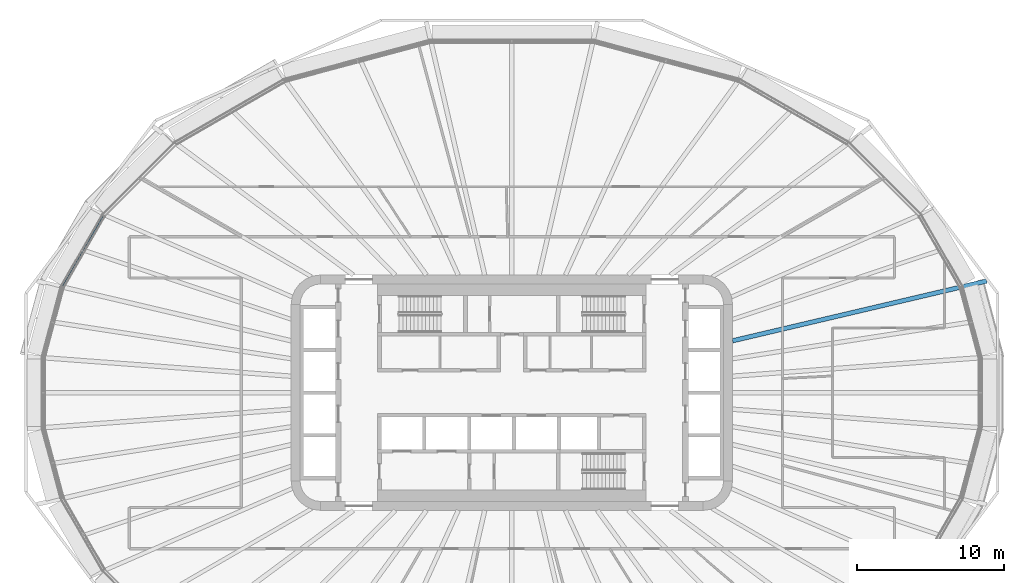
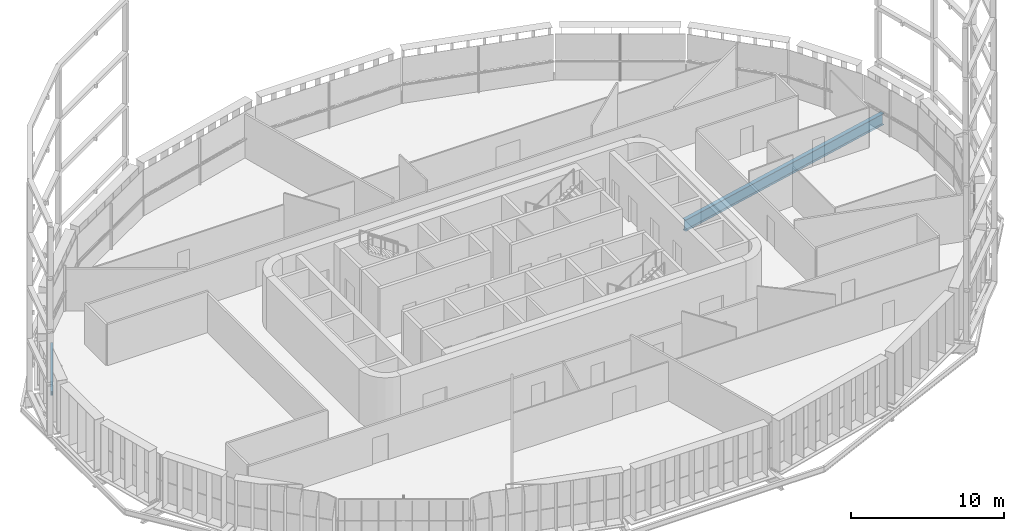
# One storey, part 6 of 26: 2 beams.
"""IFC4 building model written with IfcOpenShell, lengths in metres."""

from ifc_helpers import new_model, si_unit, direction, frame, origin, origin_2d, place, context, subcontext, project, spatial, i_section, extrude, material, material_profile, profile_set, type_object, element, save


model = new_model("IFC4")

# Units and contexts
model_context = context("Model", 3, precision=1e-05, world=origin(), true_north=direction((0.0, 1.0)))
body_context = subcontext(model_context, "Body", "Model", "MODEL_VIEW")
ifc_project = project(units=[si_unit("LENGTHUNIT", "METRE"), si_unit("AREAUNIT", "SQUARE_METRE"), si_unit("VOLUMEUNIT", "CUBIC_METRE"), si_unit("PLANEANGLEUNIT", "RADIAN"), si_unit("MASSUNIT", "GRAM", prefix="KILO")], contexts=[model_context])

# Site, building, storey
site_placement = place(None, origin())
site = spatial("IfcSite", under=ifc_project, at=site_placement, CompositionType="ELEMENT")
building_placement = place(site_placement, origin())
building = spatial("IfcBuilding", under=site, at=building_placement, Name="Sahrelin Media Tower", CompositionType="ELEMENT")
storey_placement = place(building_placement, frame((0.0, 0.0, 102.0)))
storey = spatial("IfcBuildingStorey", under=building, at=storey_placement, Name="L19", CompositionType="ELEMENT", Elevation=102.0)

# Beams
ifc_material = material(Name="Steel S355", Category="steel")
ifc_material_profile_1 = material_profile(ifc_material, i_section(OverallWidth=0.1650390625, OverallDepth=0.303466796875, WebThickness=0.006103515625, FlangeThickness=0.01025390625, FilletRadius=0.0087890625, at=origin_2d()), Name="UB 305x165x40")
ifc_profile_set_1 = profile_set([ifc_material_profile_1], Name="Steel S355")
beam_type_1 = type_object("IfcBeamType", Name="Edge beam EB2", PredefinedType="BEAM", material=ifc_profile_set_1)
beam_1_placement = place(storey_placement, frame((-30.5048828125, 7.1650390625, -0.3017578125), z_axis=(0.500017404508, 0.866015355054, 0.0), x_axis=(-0.866015355054, 0.500017404508, 0.0)))
element("IfcBeam", 1, at=beam_1_placement, inside=storey, type_object=beam_type_1, Name="Edge beam L19-15", PredefinedType="BEAM", context=body_context, shape_type="SweptSolid", body=[
    extrude(i_section(OverallWidth=0.1650390625, OverallDepth=0.303466796875, WebThickness=0.006103515625, FlangeThickness=0.01025390625, FilletRadius=0.0087890625, at=origin_2d()), origin(), (0.0, 0.0, 1.0), 5.612548828125),
])
ifc_material_profile_2 = material_profile(ifc_material, i_section(OverallWidth=0.30322265625, OverallDepth=0.903076171875, WebThickness=0.01513671875, FlangeThickness=0.020263671875, FilletRadius=0.01904296875, at=origin_2d()), Name="UB 914x305x201")
ifc_profile_set_2 = profile_set([ifc_material_profile_2], Name="Steel S355")
beam_type_2 = type_object("IfcBeamType", Name="Radial primary beam PB11", PredefinedType="BEAM", material=ifc_profile_set_2)
beam_2_placement = place(storey_placement, frame((15.0, 3.528564453125, -0.6015625), z_axis=(0.973431053553, 0.228980313518, 0.0), x_axis=(-0.228980313518, 0.973431053553, 0.0)))
element("IfcBeam", 2, at=beam_2_placement, inside=storey, type_object=beam_type_2, Name="Radial beam L19-02", PredefinedType="BEAM", context=body_context, shape_type="SweptSolid", body=[
    extrude(i_section(OverallWidth=0.30322265625, OverallDepth=0.903076171875, WebThickness=0.01513671875, FlangeThickness=0.020263671875, FilletRadius=0.01904296875, at=origin_2d()), origin(), (0.0, 0.0, 1.0), 17.75341796875),
])

save(model, "model.ifc")
